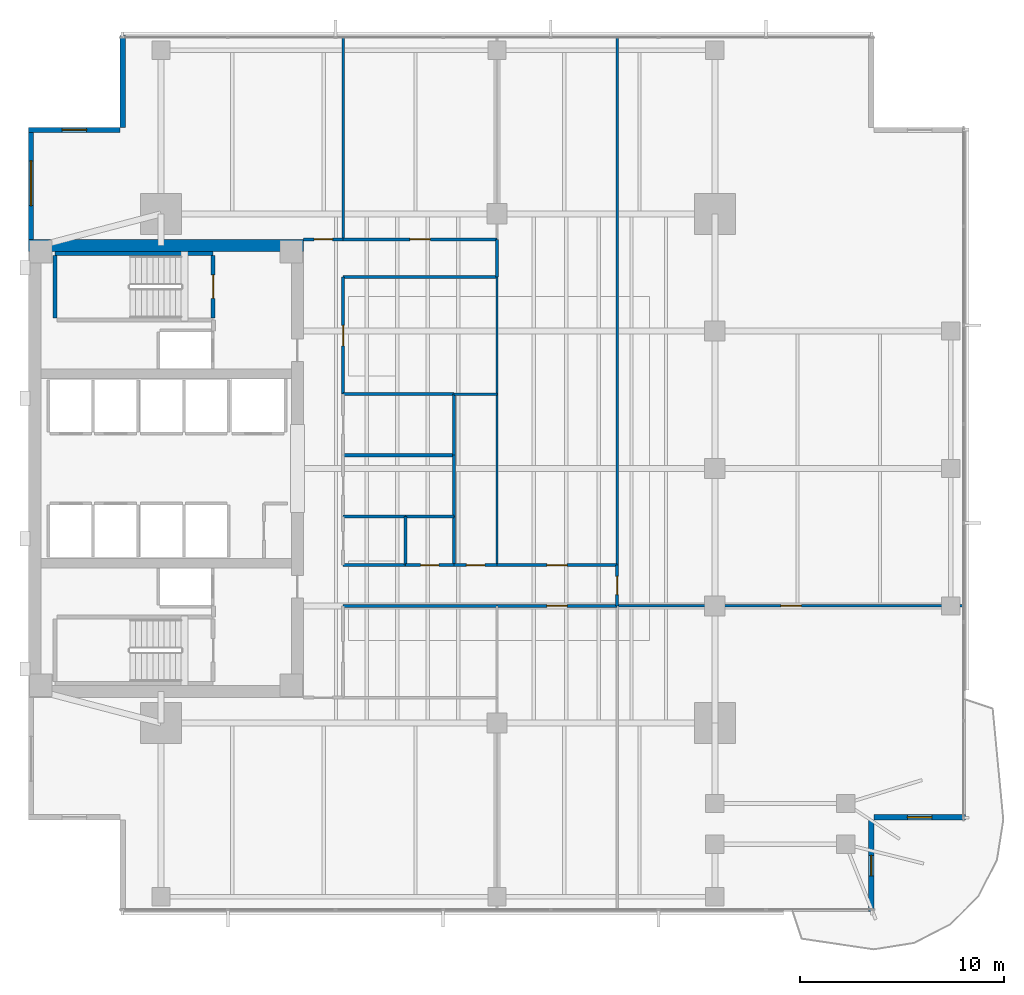
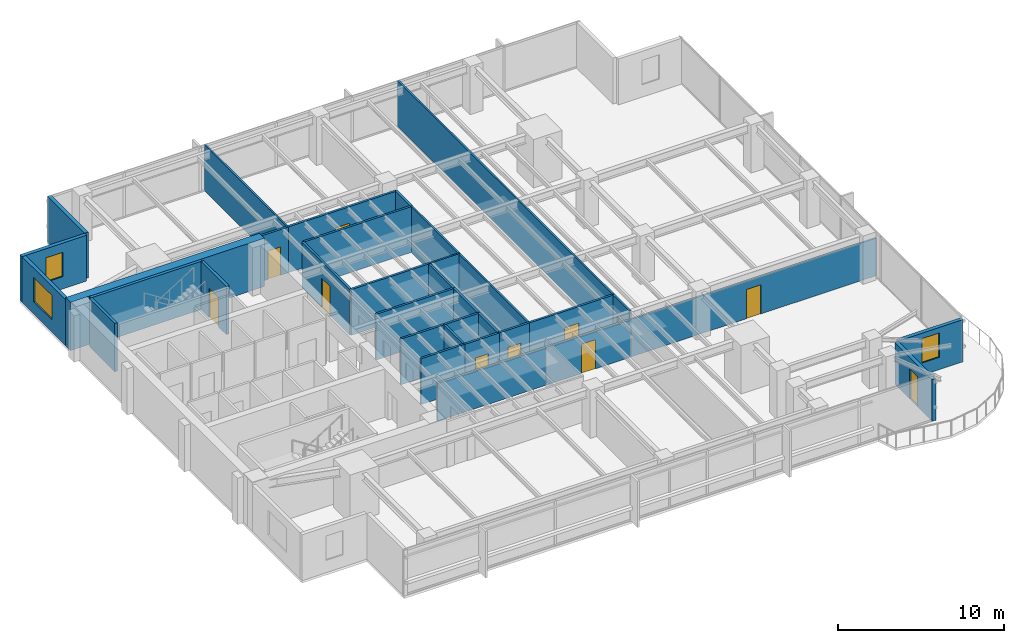
# One storey, part 9 of 14: 35 walls, 11 doors, 3 windows, 14 openings.
"""IFC4 building model written with IfcOpenShell, lengths in metres."""

from ifc_helpers import new_model, si_unit, direction, frame, frame_2d, origin, place, context, subcontext, project, spatial, rectangle, extrude, material, layer, layer_set, type_object, element, fill, save


model = new_model("IFC4")

# Units and contexts
model_context = context("Model", 3, precision=1e-05, world=origin(), true_north=direction((0.0, 1.0)))
body_context = subcontext(model_context, "Body", "Model", "MODEL_VIEW")
ifc_project = project(units=[si_unit("LENGTHUNIT", "METRE"), si_unit("AREAUNIT", "SQUARE_METRE"), si_unit("VOLUMEUNIT", "CUBIC_METRE"), si_unit("PLANEANGLEUNIT", "RADIAN"), si_unit("MASSUNIT", "GRAM", prefix="KILO")], contexts=[model_context])

# Site, building, storey
site_placement = place(None, origin())
site = spatial("IfcSite", under=ifc_project, at=site_placement, CompositionType="ELEMENT")
building_placement = place(site_placement, origin())
building = spatial("IfcBuilding", under=site, at=building_placement, Name="Kinhvarn Gate Tower", CompositionType="ELEMENT")
storey_placement = place(building_placement, frame((0.0, 0.0, 144.85009765625)))
storey = spatial("IfcBuildingStorey", under=building, at=storey_placement, Name="L38", CompositionType="ELEMENT", Elevation=144.85009765625)

# Wall
ifc_material_1 = material(Name="Concrete C60/75", Category="concrete")
ifc_layer_1 = layer(ifc_material_1, 0.60009765625)
ifc_layer_set_1 = layer_set([ifc_layer_1], Name="Concrete C60/75")
wall_type_1 = type_object("IfcWallType", Name="WL-CORE-600", PredefinedType="SHEAR", material=ifc_layer_set_1)
wall_1_placement = place(storey_placement, frame((4.5, 36.199951171875, 0.0), z_axis=(0.0, 0.0, 1.0), x_axis=(1.0, 0.0, 0.0)))
element("IfcWall", 1, at=wall_1_placement, inside=storey, type_object=wall_type_1, Name="Core North Shear Wall L38 600 mm", PredefinedType="SHEAR", context=body_context, shape_type="SweptSolid", body=[
    extrude(rectangle(XDim=13.5, YDim=0.60009765625, at=frame_2d((6.75, 0.0))), origin(), (0.0, 0.0, 1.0), 3.5498046875),
])

# Wall, opening, window
ifc_material_2 = material(Name="Fired architectural terracotta", Category="masonry")
ifc_layer_2 = layer(ifc_material_2, 0.25)
ifc_layer_set_2 = layer_set([ifc_layer_2], Name="Fired architectural terracotta")
wall_type_2 = type_object("IfcWallType", Name="WL-EXT-250", PredefinedType="SOLIDWALL", material=ifc_layer_set_2)
wall_2_placement = place(storey_placement, frame((4.625, 42.0, 0.0), z_axis=(0.0, 0.0, 1.0), x_axis=(0.0, -1.0, 0.0)))
wall_2 = element("IfcWall", 2, at=wall_2_placement, inside=storey, type_object=wall_type_2, Name="Exterior Solidwall Wall EW-250 (L38 West-North)", PredefinedType="SOLIDWALL", context=body_context, shape_type="SweptSolid", body=[
    extrude(rectangle(XDim=5.5, YDim=0.25, at=frame_2d((2.75, 0.0))), origin(), (0.0, 0.0, 1.0), 3.369873046875),
])
opening_1_placement = place(wall_2_placement, frame((1.64990234375, 0.0, 0.89990234375)))
opening_1 = element("IfcOpeningElement", 3, at=opening_1_placement, cuts=wall_2, Name="Opening WN-01", PredefinedType="OPENING", context=body_context, shape_type="SweptSolid", body=[
    extrude(rectangle(XDim=2.199951171875, YDim=1.800048828125, at=frame_2d((1.10009765625, 0.89990234375))), frame((0.0, 0.135009765625, 0.0), z_axis=(0.0, -1.0, 0.0), x_axis=(1.0, 0.0, 0.0)), (0.0, 0.0, 1.0), 0.27001953125),
])
ifc_material_3 = material(Name="Clear low-e double glazing", Category="glass")
window_type_1 = type_object("IfcWindowType", Name="WIN-RIB-2200", PartitioningType="SINGLE_PANEL", PredefinedType="WINDOW", material=ifc_material_3)
window_1_placement = place(opening_1_placement, origin())
window_1 = element("IfcWindow", 4, at=window_1_placement, inside=storey, type_object=window_type_1, Name="West Flank Double-Glazed Ribbon Window 2200x1800 mm (L38)", OverallHeight=1.800048828125, OverallWidth=2.199951171875, PartitioningType="SINGLE_PANEL", PredefinedType="WINDOW", context=body_context, shape_type="SweptSolid", body=[
    extrude(rectangle(XDim=2.199951171875, YDim=1.800048828125, at=frame_2d((1.10009765625, 0.89990234375))), frame((0.0, 0.030029296875, 0.0), z_axis=(0.0, -1.0, 0.0), x_axis=(1.0, 0.0, 0.0)), (0.0, 0.0, 1.0), 0.06005859375),
])
fill(opening_1, window_1)

# Wall, opening, door
wall_3_placement = place(storey_placement, frame((45.875, 3.5, 0.0), z_axis=(0.0, 0.0, 1.0), x_axis=(0.0, 1.0, 0.0)))
wall_3 = element("IfcWall", 5, at=wall_3_placement, inside=storey, type_object=wall_type_2, Name="Exterior Solidwall Wall EW-250 (L38 SE-Notch-Door)", PredefinedType="SOLIDWALL", context=body_context, shape_type="SweptSolid", body=[
    extrude(rectangle(XDim=4.5, YDim=0.25, at=frame_2d((2.25, 0.0))), origin(), (0.0, 0.0, 1.0), 3.06982421875),
])
opening_2_placement = place(wall_3_placement, frame((1.75, 0.0, 0.0)))
opening_2 = element("IfcOpeningElement", 6, at=opening_2_placement, cuts=wall_3, Name="Opening BD-01", PredefinedType="OPENING", context=body_context, shape_type="SweptSolid", body=[
    extrude(rectangle(XDim=1.0, YDim=2.199951171875, at=frame_2d((0.5, 1.10009765625))), frame((0.0, 0.135009765625, 0.0), z_axis=(0.0, -1.0, 0.0), x_axis=(1.0, 0.0, 0.0)), (0.0, 0.0, 1.0), 0.27001953125),
])
door_type_1 = type_object("IfcDoorType", Name="DR-BAL-1000", OperationType="NOTDEFINED", PredefinedType="DOOR", material=ifc_material_3)
door_1_placement = place(opening_2_placement, frame((1.0, 0.0, 0.0), z_axis=(0.0, 0.0, 1.0), x_axis=(-1.0, 0.0, 0.0)))
door_1 = element("IfcDoor", 7, at=door_1_placement, inside=storey, type_object=door_type_1, Name="S-Carve Balcony Door BD-01 (L38)", OperationType="SINGLE_SWING_LEFT", OverallHeight=2.199951171875, OverallWidth=1.0, PredefinedType="DOOR", context=body_context, shape_type="SweptSolid", body=[
    extrude(rectangle(XDim=1.0, YDim=2.199951171875, at=frame_2d((0.5, 1.10009765625))), frame((0.0, 0.02490234375, 0.0), z_axis=(0.0, -1.0, 0.0), x_axis=(1.0, 0.0, 0.0)), (0.0, 0.0, 1.0), 0.050048828125),
])
fill(opening_2, door_1)

# Wall, opening, window
wall_4_placement = place(storey_placement, frame((46.0, 8.125, 0.0), z_axis=(0.0, 0.0, 1.0), x_axis=(1.0, 0.0, 0.0)))
wall_4 = element("IfcWall", 8, at=wall_4_placement, inside=storey, type_object=wall_type_2, Name="Exterior Solidwall Wall EW-250 (L38 SE-Notch-Win)", PredefinedType="SOLIDWALL", context=body_context, shape_type="SweptSolid", body=[
    extrude(rectangle(XDim=4.5, YDim=0.25, at=frame_2d((2.25, 0.0))), origin(), (0.0, 0.0, 1.0), 3.099853515625),
])
opening_3_placement = place(wall_4_placement, frame((1.64990234375, 0.0, 0.89990234375)))
opening_3 = element("IfcOpeningElement", 9, at=opening_3_placement, cuts=wall_4, Name="Opening WN-02", PredefinedType="OPENING", context=body_context, shape_type="SweptSolid", body=[
    extrude(rectangle(XDim=1.199951171875, YDim=1.800048828125, at=frame_2d((0.60009765625, 0.89990234375))), frame((0.0, 0.135009765625, 0.0), z_axis=(0.0, -1.0, 0.0), x_axis=(1.0, 0.0, 0.0)), (0.0, 0.0, 1.0), 0.27001953125),
])
window_type_2 = type_object("IfcWindowType", Name="WIN-NTC-1200", PartitioningType="SINGLE_PANEL", PredefinedType="WINDOW", material=ifc_material_3)
window_2_placement = place(opening_3_placement, origin())
window_2 = element("IfcWindow", 10, at=window_2_placement, inside=storey, type_object=window_type_2, Name="Recessed Corner Notch Punched Window 1200x1800 mm (L38)", OverallHeight=1.800048828125, OverallWidth=1.199951171875, PartitioningType="SINGLE_PANEL", PredefinedType="WINDOW", context=body_context, shape_type="SweptSolid", body=[
    extrude(rectangle(XDim=1.199951171875, YDim=1.800048828125, at=frame_2d((0.60009765625, 0.89990234375))), frame((0.0, 0.030029296875, 0.0), z_axis=(0.0, -1.0, 0.0), x_axis=(1.0, 0.0, 0.0)), (0.0, 0.0, 1.0), 0.06005859375),
])
fill(opening_3, window_2)

# Wall
wall_5_placement = place(storey_placement, frame((9.125, 46.5, 0.0), z_axis=(0.0, 0.0, 1.0), x_axis=(0.0, -1.0, 0.0)))
element("IfcWall", 11, at=wall_5_placement, inside=storey, type_object=wall_type_2, Name="Exterior Solidwall Wall EW-250 (L38 NW-Notch-1)", PredefinedType="SOLIDWALL", context=body_context, shape_type="SweptSolid", body=[
    extrude(rectangle(XDim=4.5, YDim=0.25, at=frame_2d((2.25, 0.0))), origin(), (0.0, 0.0, 1.0), 3.369873046875),
])

# Wall, opening, window
wall_6_placement = place(storey_placement, frame((9.0, 41.875, 0.0), z_axis=(0.0, 0.0, 1.0), x_axis=(-1.0, 0.0, 0.0)))
wall_6 = element("IfcWall", 12, at=wall_6_placement, inside=storey, type_object=wall_type_2, Name="Exterior Solidwall Wall EW-250 (L38 NW-Notch-2)", PredefinedType="SOLIDWALL", context=body_context, shape_type="SweptSolid", body=[
    extrude(rectangle(XDim=4.5, YDim=0.25, at=frame_2d((2.25, 0.0))), origin(), (0.0, 0.0, 1.0), 3.369873046875),
])
opening_4_placement = place(wall_6_placement, frame((1.64990234375, 0.0, 0.89990234375)))
opening_4 = element("IfcOpeningElement", 13, at=opening_4_placement, cuts=wall_6, Name="Opening WN-02", PredefinedType="OPENING", context=body_context, shape_type="SweptSolid", body=[
    extrude(rectangle(XDim=1.199951171875, YDim=1.800048828125, at=frame_2d((0.60009765625, 0.89990234375))), frame((0.0, 0.135009765625, 0.0), z_axis=(0.0, -1.0, 0.0), x_axis=(1.0, 0.0, 0.0)), (0.0, 0.0, 1.0), 0.27001953125),
])
window_3_placement = place(opening_4_placement, origin())
window_3 = element("IfcWindow", 14, at=window_3_placement, inside=storey, type_object=window_type_2, Name="Recessed Corner Notch Punched Window 1200x1800 mm (L38)", OverallHeight=1.800048828125, OverallWidth=1.199951171875, PartitioningType="SINGLE_PANEL", PredefinedType="WINDOW", context=body_context, shape_type="SweptSolid", body=[
    extrude(rectangle(XDim=1.199951171875, YDim=1.800048828125, at=frame_2d((0.60009765625, 0.89990234375))), frame((0.0, 0.030029296875, 0.0), z_axis=(0.0, -1.0, 0.0), x_axis=(1.0, 0.0, 0.0)), (0.0, 0.0, 1.0), 0.06005859375),
])
fill(opening_4, window_3)

# Walls
ifc_material_4 = material(Name="Gypsum acoustic partition board")
ifc_layer_3 = layer(ifc_material_4, 0.14990234375)
ifc_layer_set_3 = layer_set([ifc_layer_3], Name="Gypsum acoustic partition board")
wall_type_3 = type_object("IfcWallType", Name="WL-PLM-150", PredefinedType="PLUMBINGWALL", material=ifc_layer_set_3)
wall_7_placement = place(storey_placement, frame((23.0, 20.5, 0.0), z_axis=(0.0, 0.0, 1.0), x_axis=(0.0, 1.0, 0.0)))
element("IfcWall", 15, at=wall_7_placement, inside=storey, type_object=wall_type_3, Name="Interior Partition PLW-150 (L38)", PredefinedType="PLUMBINGWALL", context=body_context, shape_type="SweptSolid", body=[
    extrude(rectangle(XDim=2.39990234375, YDim=0.14990234375, at=frame_2d((1.199951171875, 0.0))), origin(), (0.0, 0.0, 1.0), 3.369873046875),
])
wall_8_placement = place(storey_placement, frame((19.949951171875, 22.89990234375, 0.0), z_axis=(0.0, 0.0, 1.0), x_axis=(1.0, 0.0, 0.0)))
element("IfcWall", 16, at=wall_8_placement, inside=storey, type_object=wall_type_3, Name="Interior Partition PLW-150 (L38)", PredefinedType="PLUMBINGWALL", context=body_context, shape_type="SweptSolid", body=[
    extrude(rectangle(XDim=3.050048828125, YDim=0.14990234375, at=frame_2d((1.52490234375, 0.0))), origin(), (0.0, 0.0, 1.0), 3.369873046875),
])
for number, where, z_axis, x_axis, name in (
    (17, (23.0, 22.89990234375, 0.0), (0.0, 0.0, 1.0), (1.0, 0.0, 0.0), "Interior Partition PLW-150 (L38)"),
    (18, (25.39990234375, 20.5, 0.0), (0.0, 0.0, 1.0), (0.0, 1.0, 0.0), "Interior Partition PLW-150 (L38)"),
):
    element("IfcWall", number, at=place(storey_placement, frame(where, z_axis=z_axis, x_axis=x_axis)), inside=storey, type_object=wall_type_3, Name=name, PredefinedType="PLUMBINGWALL", context=body_context, shape_type="SweptSolid", body=[
        extrude(rectangle(XDim=2.39990234375, YDim=0.14990234375, at=frame_2d((1.199951171875, 0.0))), origin(), (0.0, 0.0, 1.0), 3.369873046875),
    ])
wall_9_placement = place(storey_placement, frame((19.949951171875, 25.89990234375, 0.0), z_axis=(0.0, 0.0, 1.0), x_axis=(1.0, 0.0, 0.0)))
element("IfcWall", 19, at=wall_9_placement, inside=storey, type_object=wall_type_3, Name="Interior Partition PLW-150 (L38)", PredefinedType="PLUMBINGWALL", context=body_context, shape_type="SweptSolid", body=[
    extrude(rectangle(XDim=5.449951171875, YDim=0.14990234375, at=frame_2d((2.72509765625, 0.0))), origin(), (0.0, 0.0, 1.0), 3.369873046875),
])
for number, where, z_axis, x_axis, name in (
    (20, (25.39990234375, 22.89990234375, 0.0), (0.0, 0.0, 1.0), (0.0, 1.0, 0.0), "Interior Partition PLW-150 (L38)"),
    (21, (25.39990234375, 25.89990234375, 0.0), (0.0, 0.0, 1.0), (0.0, 1.0, 0.0), "Interior Partition PLW-150 (L38)"),
):
    element("IfcWall", number, at=place(storey_placement, frame(where, z_axis=z_axis, x_axis=x_axis)), inside=storey, type_object=wall_type_3, Name=name, PredefinedType="PLUMBINGWALL", context=body_context, shape_type="SweptSolid", body=[
        extrude(rectangle(XDim=3.0, YDim=0.14990234375, at=frame_2d((1.5, 0.0))), origin(), (0.0, 0.0, 1.0), 3.369873046875),
    ])
wall_10_placement = place(storey_placement, frame((19.949951171875, 28.89990234375, 0.0), z_axis=(0.0, 0.0, 1.0), x_axis=(1.0, 0.0, 0.0)))
element("IfcWall", 22, at=wall_10_placement, inside=storey, type_object=wall_type_3, Name="Interior Partition PLW-150 (L38)", PredefinedType="PLUMBINGWALL", context=body_context, shape_type="SweptSolid", body=[
    extrude(rectangle(XDim=5.449951171875, YDim=0.14990234375, at=frame_2d((2.72509765625, 0.0))), origin(), (0.0, 0.0, 1.0), 3.369873046875),
])
ifc_layer_4 = layer(ifc_material_4, 0.14990234375)
ifc_layer_set_4 = layer_set([ifc_layer_4], Name="Gypsum acoustic partition board")
wall_type_4 = type_object("IfcWallType", Name="WL-PLM-150F", PredefinedType="PLUMBINGWALL", material=ifc_layer_set_4)
wall_11_placement = place(storey_placement, frame((19.949951171875, 20.5, 0.0), z_axis=(0.0, 0.0, 1.0), x_axis=(1.0, 0.0, 0.0)))
element("IfcWall", 23, at=wall_11_placement, inside=storey, type_object=wall_type_4, Name="Interior Partition PLW-150F (L38)", PredefinedType="PLUMBINGWALL", context=body_context, shape_type="SweptSolid", body=[
    extrude(rectangle(XDim=3.050048828125, YDim=0.14990234375, at=frame_2d((1.52490234375, 0.0))), origin(), (0.0, 0.0, 1.0), 3.369873046875),
])

# Wall, opening, door
wall_12_placement = place(storey_placement, frame((23.0, 20.5, 0.0), z_axis=(0.0, 0.0, 1.0), x_axis=(1.0, 0.0, 0.0)))
wall_12 = element("IfcWall", 24, at=wall_12_placement, inside=storey, type_object=wall_type_4, Name="Interior Partition PLW-150F (L38)", PredefinedType="PLUMBINGWALL", context=body_context, shape_type="SweptSolid", body=[
    extrude(rectangle(XDim=2.39990234375, YDim=0.14990234375, at=frame_2d((1.199951171875, 0.0))), origin(), (0.0, 0.0, 1.0), 3.369873046875),
])
opening_5_placement = place(wall_12_placement, frame((0.75, 0.0, 0.0)))
opening_5 = element("IfcOpeningElement", 25, at=opening_5_placement, cuts=wall_12, Name="Opening FD-04", PredefinedType="OPENING", context=body_context, shape_type="SweptSolid", body=[
    extrude(rectangle(XDim=0.89990234375, YDim=2.10009765625, at=frame_2d((0.449951171875, 1.050048828125))), frame((0.0, 0.0849609375, 0.0), z_axis=(0.0, -1.0, 0.0), x_axis=(1.0, 0.0, 0.0)), (0.0, 0.0, 1.0), 0.169921875),
])
ifc_material_5 = material(Name="Anodised aluminium AW-6063", Category="aluminium")
door_type_2 = type_object("IfcDoorType", Name="DR-FD-900", OperationType="NOTDEFINED", PredefinedType="DOOR", material=ifc_material_5)
door_2_placement = place(opening_5_placement, origin())
door_2 = element("IfcDoor", 26, at=door_2_placement, inside=storey, type_object=door_type_2, Name="Rated Riser & Service Closet Fire Door 900x2100 mm (L38)", OperationType="SINGLE_SWING_RIGHT", OverallHeight=2.10009765625, OverallWidth=0.89990234375, PredefinedType="DOOR", context=body_context, shape_type="SweptSolid", body=[
    extrude(rectangle(XDim=0.89990234375, YDim=2.10009765625, at=frame_2d((0.449951171875, 1.050048828125))), frame((0.0, 0.02490234375, 0.0), z_axis=(0.0, -1.0, 0.0), x_axis=(1.0, 0.0, 0.0)), (0.0, 0.0, 1.0), 0.050048828125),
])
fill(opening_5, door_2)

# Walls
ifc_layer_5 = layer(ifc_material_4, 0.1201171875)
ifc_layer_set_5 = layer_set([ifc_layer_5], Name="Gypsum acoustic partition board")
wall_type_5 = type_object("IfcWallType", Name="WL-PRT-120", PredefinedType="PARTITIONING", material=ifc_layer_set_5)
wall_13_placement = place(storey_placement, frame((25.39990234375, 28.89990234375, 0.0), z_axis=(0.0, 0.0, 1.0), x_axis=(1.0, 0.0, 0.0)))
element("IfcWall", 27, at=wall_13_placement, inside=storey, type_object=wall_type_5, Name="Interior Partition PW-120 (L38)", PredefinedType="PARTITIONING", context=body_context, shape_type="SweptSolid", body=[
    extrude(rectangle(XDim=2.10009765625, YDim=0.1201171875, at=frame_2d((1.050048828125, 0.0))), origin(), (0.0, 0.0, 1.0), 3.369873046875),
])
wall_14_placement = place(storey_placement, frame((27.5, 20.5, 0.0), z_axis=(0.0, 0.0, 1.0), x_axis=(0.0, 1.0, 0.0)))
element("IfcWall", 28, at=wall_14_placement, inside=storey, type_object=wall_type_5, Name="Interior Partition PW-120 (L38)", PredefinedType="PARTITIONING", context=body_context, shape_type="SweptSolid", body=[
    extrude(rectangle(XDim=8.39990234375, YDim=0.1201171875, at=frame_2d((4.199951171875, 0.0))), origin(), (0.0, 0.0, 1.0), 3.369873046875),
])
wall_15_placement = place(storey_placement, frame((27.5, 28.89990234375, 0.0), z_axis=(0.0, 0.0, 1.0), x_axis=(0.0, 1.0, 0.0)))
element("IfcWall", 29, at=wall_15_placement, inside=storey, type_object=wall_type_5, Name="Interior Partition PW-120 (L38)", PredefinedType="PARTITIONING", context=body_context, shape_type="SweptSolid", body=[
    extrude(rectangle(XDim=5.75, YDim=0.1201171875, at=frame_2d((2.875, 0.0))), origin(), (0.0, 0.0, 1.0), 3.369873046875),
])
wall_16_placement = place(storey_placement, frame((19.949951171875, 36.5, 0.0), z_axis=(0.0, 0.0, 1.0), x_axis=(0.0, 1.0, 0.0)))
element("IfcWall", 30, at=wall_16_placement, inside=storey, type_object=wall_type_5, Name="Interior Partition PW-120 (L38)", PredefinedType="PARTITIONING", context=body_context, shape_type="SweptSolid", body=[
    extrude(rectangle(XDim=9.989990234375, YDim=0.1201171875, at=frame_2d((4.9951171875, 0.0))), origin(), (0.0, 0.0, 1.0), 3.369873046875),
])
wall_17_placement = place(storey_placement, frame((33.39990234375, 20.5, 0.0), z_axis=(0.0, 0.0, 1.0), x_axis=(0.0, 1.0, 0.0)))
element("IfcWall", 31, at=wall_17_placement, inside=storey, type_object=wall_type_5, Name="Interior Partition PW-120 (L38)", PredefinedType="PARTITIONING", context=body_context, shape_type="SweptSolid", body=[
    extrude(rectangle(XDim=25.989990234375, YDim=0.1201171875, at=frame_2d((12.9951171875, 0.0))), origin(), (0.0, 0.0, 1.0), 3.369873046875),
])

# Wall, opening, door
wall_18_placement = place(storey_placement, frame((33.39990234375, 18.5, 0.0), z_axis=(0.0, 0.0, 1.0), x_axis=(1.0, 0.0, 0.0)))
wall_18 = element("IfcWall", 32, at=wall_18_placement, inside=storey, type_object=wall_type_5, Name="Interior Partition PW-120 (L38)", PredefinedType="PARTITIONING", context=body_context, shape_type="SweptSolid", body=[
    extrude(rectangle(XDim=17.090087890625, YDim=0.1201171875, at=frame_2d((8.544921875, 0.0))), origin(), (0.0, 0.0, 1.0), 2.77001953125),
])
opening_6_placement = place(wall_18_placement, frame((8.044921875, 0.0, 0.0)))
opening_6 = element("IfcOpeningElement", 33, at=opening_6_placement, cuts=wall_18, Name="Opening ID-02", PredefinedType="OPENING", context=body_context, shape_type="SweptSolid", body=[
    extrude(rectangle(XDim=1.0, YDim=2.14990234375, at=frame_2d((0.5, 1.074951171875))), frame((0.0, 0.070068359375, 0.0), z_axis=(0.0, -1.0, 0.0), x_axis=(1.0, 0.0, 0.0)), (0.0, 0.0, 1.0), 0.14013671875),
])
door_type_3 = type_object("IfcDoorType", Name="DR-INT-1000", OperationType="NOTDEFINED", PredefinedType="DOOR", material=ifc_material_5)
door_3_placement = place(opening_6_placement, origin())
door_3 = element("IfcDoor", 34, at=door_3_placement, inside=storey, type_object=door_type_3, Name="Standard Office & Meeting Room Door 1000x2150 mm (L38)", OperationType="SINGLE_SWING_RIGHT", OverallHeight=2.14990234375, OverallWidth=1.0, PredefinedType="DOOR", context=body_context, shape_type="SweptSolid", body=[
    extrude(rectangle(XDim=1.0, YDim=2.14990234375, at=frame_2d((0.5, 1.074951171875))), frame((0.0, 0.02490234375, 0.0), z_axis=(0.0, -1.0, 0.0), x_axis=(1.0, 0.0, 0.0)), (0.0, 0.0, 1.0), 0.050048828125),
])
fill(opening_6, door_3)

ifc_layer_6 = layer(ifc_material_4, 0.14990234375)
ifc_layer_set_6 = layer_set([ifc_layer_6], Name="Gypsum acoustic partition board")
wall_type_6 = type_object("IfcWallType", Name="WL-PRT-150F", PredefinedType="PARTITIONING", material=ifc_layer_set_6)
wall_19_placement = place(storey_placement, frame((19.949951171875, 28.89990234375, 0.0), z_axis=(0.0, 0.0, 1.0), x_axis=(0.0, 1.0, 0.0)))
wall_19 = element("IfcWall", 35, at=wall_19_placement, inside=storey, type_object=wall_type_6, Name="Interior Partition PW-150F (L38)", PredefinedType="PARTITIONING", context=body_context, shape_type="SweptSolid", body=[
    extrude(rectangle(XDim=5.75, YDim=0.14990234375, at=frame_2d((2.875, 0.0))), origin(), (0.0, 0.0, 1.0), 3.369873046875),
])
opening_7_placement = place(wall_19_placement, frame((2.375, 0.0, 0.0)))
opening_7 = element("IfcOpeningElement", 36, at=opening_7_placement, cuts=wall_19, Name="Opening ID-02", PredefinedType="OPENING", context=body_context, shape_type="SweptSolid", body=[
    extrude(rectangle(XDim=1.0, YDim=2.14990234375, at=frame_2d((0.5, 1.074951171875))), frame((0.0, 0.0849609375, 0.0), z_axis=(0.0, -1.0, 0.0), x_axis=(1.0, 0.0, 0.0)), (0.0, 0.0, 1.0), 0.169921875),
])
door_4_placement = place(opening_7_placement, origin())
door_4 = element("IfcDoor", 37, at=door_4_placement, inside=storey, type_object=door_type_3, Name="Standard Office & Meeting Room Door 1000x2150 mm (L38)", OperationType="SINGLE_SWING_RIGHT", OverallHeight=2.14990234375, OverallWidth=1.0, PredefinedType="DOOR", context=body_context, shape_type="SweptSolid", body=[
    extrude(rectangle(XDim=1.0, YDim=2.14990234375, at=frame_2d((0.5, 1.074951171875))), frame((0.0, 0.02490234375, 0.0), z_axis=(0.0, -1.0, 0.0), x_axis=(1.0, 0.0, 0.0)), (0.0, 0.0, 1.0), 0.050048828125),
])
fill(opening_7, door_4)

wall_20_placement = place(storey_placement, frame((18.0, 36.5, 0.0), z_axis=(0.0, 0.0, 1.0), x_axis=(1.0, 0.0, 0.0)))
wall_20 = element("IfcWall", 38, at=wall_20_placement, inside=storey, type_object=wall_type_6, Name="Interior Partition PW-150F (L38)", PredefinedType="PARTITIONING", context=body_context, shape_type="SweptSolid", body=[
    extrude(rectangle(XDim=1.949951171875, YDim=0.14990234375, at=frame_2d((0.97509765625, 0.0))), origin(), (0.0, 0.0, 1.0), 3.369873046875),
])
opening_8_placement = place(wall_20_placement, frame((0.52490234375, 0.0, 0.0)))
opening_8 = element("IfcOpeningElement", 39, at=opening_8_placement, cuts=wall_20, Name="Opening ID-03", PredefinedType="OPENING", context=body_context, shape_type="SweptSolid", body=[
    extrude(rectangle(XDim=0.89990234375, YDim=2.10009765625, at=frame_2d((0.449951171875, 1.050048828125))), frame((0.0, 0.0849609375, 0.0), z_axis=(0.0, -1.0, 0.0), x_axis=(1.0, 0.0, 0.0)), (0.0, 0.0, 1.0), 0.169921875),
])
door_type_4 = type_object("IfcDoorType", Name="DR-INT-900", OperationType="NOTDEFINED", PredefinedType="DOOR", material=ifc_material_5)
door_5_placement = place(opening_8_placement, origin())
door_5 = element("IfcDoor", 40, at=door_5_placement, inside=storey, type_object=door_type_4, Name="Cellular Office & Restroom Door 900x2100 mm (L38)", OperationType="SINGLE_SWING_LEFT", OverallHeight=2.10009765625, OverallWidth=0.89990234375, PredefinedType="DOOR", context=body_context, shape_type="SweptSolid", body=[
    extrude(rectangle(XDim=0.89990234375, YDim=2.10009765625, at=frame_2d((0.449951171875, 1.050048828125))), frame((0.0, 0.02490234375, 0.0), z_axis=(0.0, -1.0, 0.0), x_axis=(1.0, 0.0, 0.0)), (0.0, 0.0, 1.0), 0.050048828125),
])
fill(opening_8, door_5)

wall_21_placement = place(storey_placement, frame((25.39990234375, 20.5, 0.0), z_axis=(0.0, 0.0, 1.0), x_axis=(1.0, 0.0, 0.0)))
wall_21 = element("IfcWall", 41, at=wall_21_placement, inside=storey, type_object=wall_type_6, Name="Interior Partition PW-150F (L38)", PredefinedType="PARTITIONING", context=body_context, shape_type="SweptSolid", body=[
    extrude(rectangle(XDim=2.10009765625, YDim=0.14990234375, at=frame_2d((1.050048828125, 0.0))), origin(), (0.0, 0.0, 1.0), 3.369873046875),
])
opening_9_placement = place(wall_21_placement, frame((0.60009765625, 0.0, 0.0)))
opening_9 = element("IfcOpeningElement", 42, at=opening_9_placement, cuts=wall_21, Name="Opening ID-03", PredefinedType="OPENING", context=body_context, shape_type="SweptSolid", body=[
    extrude(rectangle(XDim=0.89990234375, YDim=2.10009765625, at=frame_2d((0.449951171875, 1.050048828125))), frame((0.0, 0.0849609375, 0.0), z_axis=(0.0, -1.0, 0.0), x_axis=(1.0, 0.0, 0.0)), (0.0, 0.0, 1.0), 0.169921875),
])
door_6_placement = place(opening_9_placement, origin())
door_6 = element("IfcDoor", 43, at=door_6_placement, inside=storey, type_object=door_type_4, Name="Cellular Office & Restroom Door 900x2100 mm (L38)", OperationType="SINGLE_SWING_LEFT", OverallHeight=2.10009765625, OverallWidth=0.89990234375, PredefinedType="DOOR", context=body_context, shape_type="SweptSolid", body=[
    extrude(rectangle(XDim=0.89990234375, YDim=2.10009765625, at=frame_2d((0.449951171875, 1.050048828125))), frame((0.0, 0.02490234375, 0.0), z_axis=(0.0, -1.0, 0.0), x_axis=(1.0, 0.0, 0.0)), (0.0, 0.0, 1.0), 0.050048828125),
])
fill(opening_9, door_6)

# Wall
wall_22_placement = place(storey_placement, frame((19.949951171875, 18.5, 0.0), z_axis=(0.0, 0.0, 1.0), x_axis=(1.0, 0.0, 0.0)))
element("IfcWall", 44, at=wall_22_placement, inside=storey, type_object=wall_type_6, Name="Interior Partition PW-150F (L38)", PredefinedType="PARTITIONING", context=body_context, shape_type="SweptSolid", body=[
    extrude(rectangle(XDim=7.550048828125, YDim=0.14990234375, at=frame_2d((3.77490234375, 0.0))), origin(), (0.0, 0.0, 1.0), 2.77001953125),
])

# Wall, opening, door
wall_23_placement = place(storey_placement, frame((27.5, 18.5, 0.0), z_axis=(0.0, 0.0, 1.0), x_axis=(1.0, 0.0, 0.0)))
wall_23 = element("IfcWall", 45, at=wall_23_placement, inside=storey, type_object=wall_type_6, Name="Interior Partition PW-150F (L38)", PredefinedType="PARTITIONING", context=body_context, shape_type="SweptSolid", body=[
    extrude(rectangle(XDim=5.89990234375, YDim=0.14990234375, at=frame_2d((2.949951171875, 0.0))), origin(), (0.0, 0.0, 1.0), 2.77001953125),
])
opening_10_placement = place(wall_23_placement, frame((2.449951171875, 0.0, 0.0)))
opening_10 = element("IfcOpeningElement", 46, at=opening_10_placement, cuts=wall_23, Name="Opening ID-02", PredefinedType="OPENING", context=body_context, shape_type="SweptSolid", body=[
    extrude(rectangle(XDim=1.0, YDim=2.14990234375, at=frame_2d((0.5, 1.074951171875))), frame((0.0, 0.0849609375, 0.0), z_axis=(0.0, -1.0, 0.0), x_axis=(1.0, 0.0, 0.0)), (0.0, 0.0, 1.0), 0.169921875),
])
door_7_placement = place(opening_10_placement, origin())
door_7 = element("IfcDoor", 47, at=door_7_placement, inside=storey, type_object=door_type_3, Name="Standard Office & Meeting Room Door 1000x2150 mm (L38)", OperationType="SINGLE_SWING_RIGHT", OverallHeight=2.14990234375, OverallWidth=1.0, PredefinedType="DOOR", context=body_context, shape_type="SweptSolid", body=[
    extrude(rectangle(XDim=1.0, YDim=2.14990234375, at=frame_2d((0.5, 1.074951171875))), frame((0.0, 0.02490234375, 0.0), z_axis=(0.0, -1.0, 0.0), x_axis=(1.0, 0.0, 0.0)), (0.0, 0.0, 1.0), 0.050048828125),
])
fill(opening_10, door_7)

wall_24_placement = place(storey_placement, frame((27.5, 20.5, 0.0), z_axis=(0.0, 0.0, 1.0), x_axis=(1.0, 0.0, 0.0)))
wall_24 = element("IfcWall", 48, at=wall_24_placement, inside=storey, type_object=wall_type_6, Name="Interior Partition PW-150F (L38)", PredefinedType="PARTITIONING", context=body_context, shape_type="SweptSolid", body=[
    extrude(rectangle(XDim=5.89990234375, YDim=0.14990234375, at=frame_2d((2.949951171875, 0.0))), origin(), (0.0, 0.0, 1.0), 3.369873046875),
])
opening_11_placement = place(wall_24_placement, frame((2.449951171875, 0.0, 0.0)))
opening_11 = element("IfcOpeningElement", 49, at=opening_11_placement, cuts=wall_24, Name="Opening ID-02", PredefinedType="OPENING", context=body_context, shape_type="SweptSolid", body=[
    extrude(rectangle(XDim=1.0, YDim=2.14990234375, at=frame_2d((0.5, 1.074951171875))), frame((0.0, 0.0849609375, 0.0), z_axis=(0.0, -1.0, 0.0), x_axis=(1.0, 0.0, 0.0)), (0.0, 0.0, 1.0), 0.169921875),
])
door_8_placement = place(opening_11_placement, origin())
door_8 = element("IfcDoor", 50, at=door_8_placement, inside=storey, type_object=door_type_3, Name="Standard Office & Meeting Room Door 1000x2150 mm (L38)", OperationType="SINGLE_SWING_LEFT", OverallHeight=2.14990234375, OverallWidth=1.0, PredefinedType="DOOR", context=body_context, shape_type="SweptSolid", body=[
    extrude(rectangle(XDim=1.0, YDim=2.14990234375, at=frame_2d((0.5, 1.074951171875))), frame((0.0, 0.02490234375, 0.0), z_axis=(0.0, -1.0, 0.0), x_axis=(1.0, 0.0, 0.0)), (0.0, 0.0, 1.0), 0.050048828125),
])
fill(opening_11, door_8)

wall_25_placement = place(storey_placement, frame((33.39990234375, 18.5, 0.0), z_axis=(0.0, 0.0, 1.0), x_axis=(0.0, 1.0, 0.0)))
wall_25 = element("IfcWall", 51, at=wall_25_placement, inside=storey, type_object=wall_type_6, Name="Interior Partition PW-150F (L38)", PredefinedType="PARTITIONING", context=body_context, shape_type="SweptSolid", body=[
    extrude(rectangle(XDim=2.0, YDim=0.14990234375, at=frame_2d((1.0, 0.0))), origin(), (0.0, 0.0, 1.0), 3.369873046875),
])
opening_12_placement = place(wall_25_placement, frame((0.550048828125, 0.0, 0.0)))
opening_12 = element("IfcOpeningElement", 52, at=opening_12_placement, cuts=wall_25, Name="Opening ID-03", PredefinedType="OPENING", context=body_context, shape_type="SweptSolid", body=[
    extrude(rectangle(XDim=0.89990234375, YDim=2.10009765625, at=frame_2d((0.449951171875, 1.050048828125))), frame((0.0, 0.0849609375, 0.0), z_axis=(0.0, -1.0, 0.0), x_axis=(1.0, 0.0, 0.0)), (0.0, 0.0, 1.0), 0.169921875),
])
door_9_placement = place(opening_12_placement, origin())
door_9 = element("IfcDoor", 53, at=door_9_placement, inside=storey, type_object=door_type_4, Name="Cellular Office & Restroom Door 900x2100 mm (L38)", OperationType="SINGLE_SWING_RIGHT", OverallHeight=2.10009765625, OverallWidth=0.89990234375, PredefinedType="DOOR", context=body_context, shape_type="SweptSolid", body=[
    extrude(rectangle(XDim=0.89990234375, YDim=2.10009765625, at=frame_2d((0.449951171875, 1.050048828125))), frame((0.0, 0.02490234375, 0.0), z_axis=(0.0, -1.0, 0.0), x_axis=(1.0, 0.0, 0.0)), (0.0, 0.0, 1.0), 0.050048828125),
])
fill(opening_12, door_9)

# Wall
wall_26_placement = place(storey_placement, frame((19.949951171875, 34.64990234375, 0.0), z_axis=(0.0, 0.0, 1.0), x_axis=(1.0, 0.0, 0.0)))
element("IfcWall", 54, at=wall_26_placement, inside=storey, type_object=wall_type_6, Name="Interior Partition PW-150F (L38)", PredefinedType="PARTITIONING", context=body_context, shape_type="SweptSolid", body=[
    extrude(rectangle(XDim=7.550048828125, YDim=0.14990234375, at=frame_2d((3.77490234375, 0.0))), origin(), (0.0, 0.0, 1.0), 3.369873046875),
])

# Wall, opening, door
wall_27_placement = place(storey_placement, frame((19.949951171875, 36.5, 0.0), z_axis=(0.0, 0.0, 1.0), x_axis=(1.0, 0.0, 0.0)))
wall_27 = element("IfcWall", 55, at=wall_27_placement, inside=storey, type_object=wall_type_6, Name="Interior Partition PW-150F (L38)", PredefinedType="PARTITIONING", context=body_context, shape_type="SweptSolid", body=[
    extrude(rectangle(XDim=7.550048828125, YDim=0.14990234375, at=frame_2d((3.77490234375, 0.0))), origin(), (0.0, 0.0, 1.0), 3.369873046875),
])
opening_13_placement = place(wall_27_placement, frame((3.27490234375, 0.0, 0.0)))
opening_13 = element("IfcOpeningElement", 56, at=opening_13_placement, cuts=wall_27, Name="Opening ID-02", PredefinedType="OPENING", context=body_context, shape_type="SweptSolid", body=[
    extrude(rectangle(XDim=1.0, YDim=2.14990234375, at=frame_2d((0.5, 1.074951171875))), frame((0.0, 0.0849609375, 0.0), z_axis=(0.0, -1.0, 0.0), x_axis=(1.0, 0.0, 0.0)), (0.0, 0.0, 1.0), 0.169921875),
])
door_10_placement = place(opening_13_placement, origin())
door_10 = element("IfcDoor", 57, at=door_10_placement, inside=storey, type_object=door_type_3, Name="Standard Office & Meeting Room Door 1000x2150 mm (L38)", OperationType="SINGLE_SWING_LEFT", OverallHeight=2.14990234375, OverallWidth=1.0, PredefinedType="DOOR", context=body_context, shape_type="SweptSolid", body=[
    extrude(rectangle(XDim=1.0, YDim=2.14990234375, at=frame_2d((0.5, 1.074951171875))), frame((0.0, 0.02490234375, 0.0), z_axis=(0.0, -1.0, 0.0), x_axis=(1.0, 0.0, 0.0)), (0.0, 0.0, 1.0), 0.050048828125),
])
fill(opening_13, door_10)

# Walls
wall_28_placement = place(storey_placement, frame((27.5, 34.64990234375, 0.0), z_axis=(0.0, 0.0, 1.0), x_axis=(0.0, 1.0, 0.0)))
element("IfcWall", 58, at=wall_28_placement, inside=storey, type_object=wall_type_6, Name="Interior Partition PW-150F (L38)", PredefinedType="PARTITIONING", context=body_context, shape_type="SweptSolid", body=[
    extrude(rectangle(XDim=1.85009765625, YDim=0.14990234375, at=frame_2d((0.925048828125, 0.0))), origin(), (0.0, 0.0, 1.0), 3.369873046875),
])
ifc_material_6 = material(Name="Concrete C40/50", Category="concrete")
ifc_layer_7 = layer(ifc_material_6, 0.199951171875)
ifc_layer_set_7 = layer_set([ifc_layer_7], Name="Concrete C40/50")
wall_type_7 = type_object("IfcWallType", Name="WL-SHF-200", PredefinedType="SOLIDWALL", material=ifc_layer_set_7)
wall_29_placement = place(storey_placement, frame((5.800048828125, 35.800048828125, 0.0), z_axis=(0.0, 0.0, 1.0), x_axis=(1.0, 0.0, 0.0)))
element("IfcWall", 59, at=wall_29_placement, inside=storey, type_object=wall_type_7, Name="Stair ST2 North Shaft Wall (L38)", PredefinedType="SOLIDWALL", context=body_context, shape_type="SweptSolid", body=[
    extrude(rectangle(XDim=7.75, YDim=0.199951171875, at=frame_2d((3.875, 0.0))), origin(), (0.0, 0.0, 1.0), 3.5498046875),
])
wall_30_placement = place(storey_placement, frame((5.7900390625, 32.64990234375, 0.0), z_axis=(0.0, 0.0, 1.0), x_axis=(0.0, 1.0, 0.0)))
element("IfcWall", 60, at=wall_30_placement, inside=storey, type_object=wall_type_7, Name="Stair ST2 West Shaft Wall (L38)", PredefinedType="SOLIDWALL", context=body_context, shape_type="SweptSolid", body=[
    extrude(rectangle(XDim=3.050048828125, YDim=0.199951171875, at=frame_2d((1.52490234375, 0.0))), origin(), (0.0, 0.0, 1.0), 3.5498046875),
])

# Wall, opening, door
wall_31_placement = place(storey_placement, frame((13.56005859375, 32.64990234375, 0.0), z_axis=(0.0, 0.0, 1.0), x_axis=(0.0, 1.0, 0.0)))
wall_31 = element("IfcWall", 61, at=wall_31_placement, inside=storey, type_object=wall_type_7, Name="Stair ST2 East Entry Wall (L38)", PredefinedType="SOLIDWALL", context=body_context, shape_type="SweptSolid", body=[
    extrude(rectangle(XDim=3.050048828125, YDim=0.199951171875, at=frame_2d((1.52490234375, 0.0))), origin(), (0.0, 0.0, 1.0), 3.5498046875),
])
opening_14_placement = place(wall_31_placement, frame((0.949951171875, 0.0, 0.0)))
opening_14 = element("IfcOpeningElement", 62, at=opening_14_placement, cuts=wall_31, Name="Opening FD-01", PredefinedType="OPENING", context=body_context, shape_type="SweptSolid", body=[
    extrude(rectangle(XDim=1.14990234375, YDim=2.14990234375, at=frame_2d((0.574951171875, 1.074951171875))), frame((0.0, 0.10986328125, 0.0), z_axis=(0.0, -1.0, 0.0), x_axis=(1.0, 0.0, 0.0)), (0.0, 0.0, 1.0), 0.219970703125),
])
door_type_5 = type_object("IfcDoorType", Name="DR-ST-1150", OperationType="NOTDEFINED", PredefinedType="DOOR", material=ifc_material_5)
door_11_placement = place(opening_14_placement, origin())
door_11 = element("IfcDoor", 63, at=door_11_placement, inside=storey, type_object=door_type_5, Name="Exit Stair ST2 Fire Door (L38)", OperationType="SINGLE_SWING_LEFT", OverallHeight=2.14990234375, OverallWidth=1.14990234375, PredefinedType="DOOR", context=body_context, shape_type="SweptSolid", body=[
    extrude(rectangle(XDim=1.14990234375, YDim=2.14990234375, at=frame_2d((0.574951171875, 1.074951171875))), frame((0.0, 0.02490234375, 0.0), z_axis=(0.0, -1.0, 0.0), x_axis=(1.0, 0.0, 0.0)), (0.0, 0.0, 1.0), 0.050048828125),
])
fill(opening_14, door_11)

save(model, "model.ifc")
